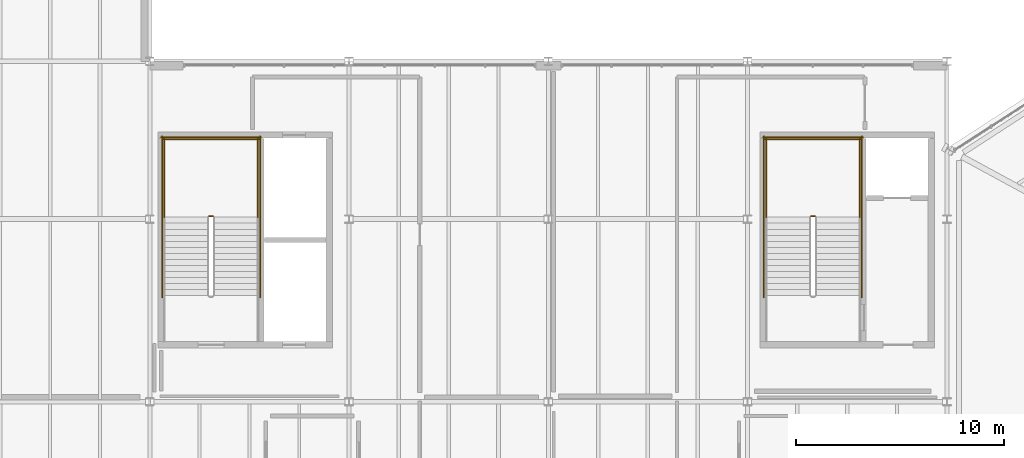
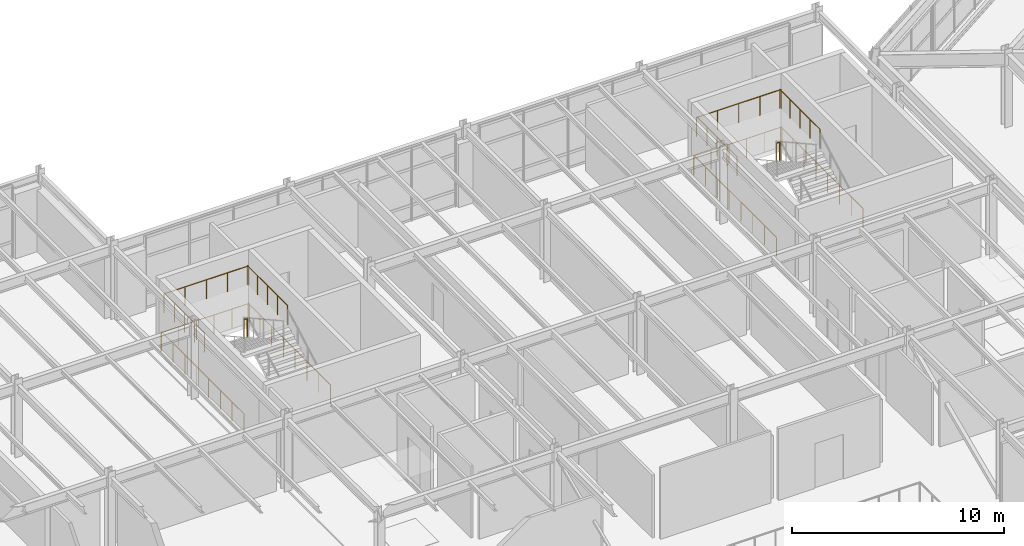
# One storey, part 75 of 77: 14 railings.
"""IFC4 building model written with IfcOpenShell, lengths in metres."""

from ifc_helpers import new_model, si_unit, direction, frame, origin, origin_2d, place, context, subcontext, project, spatial, circle, extrude, material, layer, layer_set, type_object, element, save


model = new_model("IFC4")

# Units and contexts
model_context = context("Model", 3, precision=1e-05, world=origin(), true_north=direction((0.0, 1.0)))
body_context = subcontext(model_context, "Body", "Model", "MODEL_VIEW")
ifc_project = project(units=[si_unit("LENGTHUNIT", "METRE"), si_unit("AREAUNIT", "SQUARE_METRE"), si_unit("VOLUMEUNIT", "CUBIC_METRE"), si_unit("PLANEANGLEUNIT", "RADIAN"), si_unit("MASSUNIT", "GRAM", prefix="KILO")], contexts=[model_context])

# Site, building, storey
site_placement = place(None, origin())
site = spatial("IfcSite", under=ifc_project, at=site_placement, CompositionType="ELEMENT")
building_placement = place(site_placement, origin())
building = spatial("IfcBuilding", under=site, at=building_placement, Name="Sarnbrook Museum", CompositionType="ELEMENT")
storey_placement = place(building_placement, frame((0.0, 0.0, 5.60009765625)))
storey = spatial("IfcBuildingStorey", under=building, at=storey_placement, Name="L01", CompositionType="ELEMENT", Elevation=5.60009765625)

# Railings
ifc_material = material(Name="Brushed Stainless Steel Grade 316", Category="steel")
ifc_layer = layer(ifc_material, 0.050048828125)
ifc_layer_set = layer_set([ifc_layer], Name="Brushed Stainless Steel Grade 316")
railing_type = type_object("IfcRailingType", Name="Guard_Int1120", PredefinedType="BALUSTRADE", material=ifc_layer_set)
railing_1_placement = place(storey_placement, frame((112.840087890625, 100.93994140625, 2.25)))
element("IfcRailing", 1, at=railing_1_placement, inside=storey, type_object=railing_type, Name="L01 ST2 stair guard 2", PredefinedType="BALUSTRADE", context=body_context, shape_type="SweptSolid", body=[
    extrude(circle(Radius=0.02392578125, at=origin_2d()), frame((0.0, 0.0, 1.09619140625), z_axis=(-1.0, 0.0, 0.0), x_axis=(0.0, -1.0, 0.0)), (0.0, 0.0, 1.0), 0.18017578125),
    extrude(circle(Radius=0.02099609375, at=origin_2d()), origin(), (0.0, 0.0, 1.0), 1.072021484375),
    extrude(circle(Radius=0.02099609375, at=origin_2d()), frame((-0.18017578125, 0.0, 0.0)), (0.0, 0.0, 1.0), 1.072021484375),
])
for number, where, name in (
    (2, (115.010009765625, 100.889892578125, 2.25), "L01 ST2 stair guard 3"),
    (3, (110.489990234375, 100.889892578125, 2.25), "L01 ST2 stair guard 4"),
):
    element("IfcRailing", number, at=place(storey_placement, frame(where)), inside=storey, type_object=railing_type, Name=name, PredefinedType="BALUSTRADE", context=body_context, shape_type="SweptSolid", body=[
        extrude(circle(Radius=0.02392578125, at=origin_2d()), frame((0.0, 0.0, 1.09619140625), z_axis=(0.0, 1.0, 0.0), x_axis=(-1.0, 0.0, 0.0)), (0.0, 0.0, 1.0), 3.81005859375),
        extrude(circle(Radius=0.02099609375, at=origin_2d()), origin(), (0.0, 0.0, 1.0), 1.072021484375),
        extrude(circle(Radius=0.02099609375, at=origin_2d()), frame((0.0, 0.95263671875, 0.0)), (0.0, 0.0, 1.0), 1.072021484375),
        extrude(circle(Radius=0.02099609375, at=origin_2d()), frame((0.0, 1.905029296875, 0.0)), (0.0, 0.0, 1.0), 1.072021484375),
        extrude(circle(Radius=0.02099609375, at=origin_2d()), frame((0.0, 2.857421875, 0.0)), (0.0, 0.0, 1.0), 1.072021484375),
        extrude(circle(Radius=0.02099609375, at=origin_2d()), frame((0.0, 3.81005859375, 0.0)), (0.0, 0.0, 1.0), 1.072021484375),
    ])
railing_2_placement = place(storey_placement, frame((115.06005859375, 104.64990234375, 2.25)))
element("IfcRailing", 4, at=railing_2_placement, inside=storey, type_object=railing_type, Name="L01 ST2 stair guard 5", PredefinedType="BALUSTRADE", context=body_context, shape_type="SweptSolid", body=[
    extrude(circle(Radius=0.02392578125, at=origin_2d()), frame((0.0, 0.0, 1.09619140625), z_axis=(-1.0, 0.0, 0.0), x_axis=(0.0, -1.0, 0.0)), (0.0, 0.0, 1.0), 4.6201171875),
    extrude(circle(Radius=0.02099609375, at=origin_2d()), origin(), (0.0, 0.0, 1.0), 1.072021484375),
    extrude(circle(Radius=0.02099609375, at=origin_2d()), frame((-1.155029296875, 0.0, 0.0)), (0.0, 0.0, 1.0), 1.072021484375),
    extrude(circle(Radius=0.02099609375, at=origin_2d()), frame((-2.31005859375, 0.0, 0.0)), (0.0, 0.0, 1.0), 1.072021484375),
    extrude(circle(Radius=0.02099609375, at=origin_2d()), frame((-3.465087890625, 0.0, 0.0)), (0.0, 0.0, 1.0), 1.072021484375),
    extrude(circle(Radius=0.02099609375, at=origin_2d()), frame((-4.6201171875, 0.0, 0.0)), (0.0, 0.0, 1.0), 1.072021484375),
])
for number, where, name in (
    (5, (115.110107421875, 97.02001953125, 0.0), "L01 ST2 stair guard 10"),
    (6, (110.389892578125, 97.02001953125, 0.0), "L01 ST2 stair guard 11"),
):
    element("IfcRailing", number, at=place(storey_placement, frame(where)), inside=storey, type_object=railing_type, Name=name, PredefinedType="BALUSTRADE", context=body_context, shape_type="SweptSolid", body=[
        extrude(circle(Radius=0.02392578125, at=origin_2d()), frame((0.0, 0.0, 1.09619140625), z_axis=(0.0, 1.0, 0.0), x_axis=(-1.0, 0.0, 0.0)), (0.0, 0.0, 1.0), 7.780029296875),
        extrude(circle(Radius=0.02099609375, at=origin_2d()), origin(), (0.0, 0.0, 1.0), 1.072021484375),
        extrude(circle(Radius=0.02099609375, at=origin_2d()), frame((0.0, 1.111328125, 0.0)), (0.0, 0.0, 1.0), 1.072021484375),
        extrude(circle(Radius=0.02099609375, at=origin_2d()), frame((0.0, 2.222900390625, 0.0)), (0.0, 0.0, 1.0), 1.072021484375),
        extrude(circle(Radius=0.02099609375, at=origin_2d()), frame((0.0, 3.334228515625, 0.0)), (0.0, 0.0, 1.0), 1.072021484375),
        extrude(circle(Radius=0.02099609375, at=origin_2d()), frame((0.0, 4.44580078125, 0.0)), (0.0, 0.0, 1.0), 1.072021484375),
        extrude(circle(Radius=0.02099609375, at=origin_2d()), frame((0.0, 5.55712890625, 0.0)), (0.0, 0.0, 1.0), 1.072021484375),
        extrude(circle(Radius=0.02099609375, at=origin_2d()), frame((0.0, 6.668701171875, 0.0)), (0.0, 0.0, 1.0), 1.072021484375),
        extrude(circle(Radius=0.02099609375, at=origin_2d()), frame((0.0, 7.780029296875, 0.0)), (0.0, 0.0, 1.0), 1.072021484375),
    ])
railing_3_placement = place(storey_placement, frame((115.159912109375, 104.75, 0.0)))
element("IfcRailing", 7, at=railing_3_placement, inside=storey, type_object=railing_type, Name="L01 ST2 stair guard 12", PredefinedType="BALUSTRADE", context=body_context, shape_type="SweptSolid", body=[
    extrude(circle(Radius=0.02392578125, at=origin_2d()), frame((0.0, 0.0, 1.09619140625), z_axis=(-1.0, 0.0, 0.0), x_axis=(0.0, -1.0, 0.0)), (0.0, 0.0, 1.0), 4.81982421875),
    extrude(circle(Radius=0.02099609375, at=origin_2d()), origin(), (0.0, 0.0, 1.0), 1.072021484375),
    extrude(circle(Radius=0.02099609375, at=origin_2d()), frame((-0.9638671875, 0.0, 0.0)), (0.0, 0.0, 1.0), 1.072021484375),
    extrude(circle(Radius=0.02099609375, at=origin_2d()), frame((-1.927978515625, 0.0, 0.0)), (0.0, 0.0, 1.0), 1.072021484375),
    extrude(circle(Radius=0.02099609375, at=origin_2d()), frame((-2.891845703125, 0.0, 0.0)), (0.0, 0.0, 1.0), 1.072021484375),
    extrude(circle(Radius=0.02099609375, at=origin_2d()), frame((-3.85595703125, 0.0, 0.0)), (0.0, 0.0, 1.0), 1.072021484375),
    extrude(circle(Radius=0.02099609375, at=origin_2d()), frame((-4.81982421875, 0.0, 0.0)), (0.0, 0.0, 1.0), 1.072021484375),
])
railing_4_placement = place(storey_placement, frame((83.840087890625, 100.93994140625, 2.25)))
element("IfcRailing", 8, at=railing_4_placement, inside=storey, type_object=railing_type, Name="L01 ST4 stair guard 2", PredefinedType="BALUSTRADE", context=body_context, shape_type="SweptSolid", body=[
    extrude(circle(Radius=0.02392578125, at=origin_2d()), frame((0.0, 0.0, 1.09619140625), z_axis=(-1.0, 0.0, 0.0), x_axis=(0.0, -1.0, 0.0)), (0.0, 0.0, 1.0), 0.18017578125),
    extrude(circle(Radius=0.02099609375, at=origin_2d()), origin(), (0.0, 0.0, 1.0), 1.072021484375),
    extrude(circle(Radius=0.02099609375, at=origin_2d()), frame((-0.18017578125, 0.0, 0.0)), (0.0, 0.0, 1.0), 1.072021484375),
])
for number, where, name in (
    (9, (86.010009765625, 100.889892578125, 2.25), "L01 ST4 stair guard 3"),
    (10, (81.489990234375, 100.889892578125, 2.25), "L01 ST4 stair guard 4"),
):
    element("IfcRailing", number, at=place(storey_placement, frame(where)), inside=storey, type_object=railing_type, Name=name, PredefinedType="BALUSTRADE", context=body_context, shape_type="SweptSolid", body=[
        extrude(circle(Radius=0.02392578125, at=origin_2d()), frame((0.0, 0.0, 1.09619140625), z_axis=(0.0, 1.0, 0.0), x_axis=(-1.0, 0.0, 0.0)), (0.0, 0.0, 1.0), 3.81005859375),
        extrude(circle(Radius=0.02099609375, at=origin_2d()), origin(), (0.0, 0.0, 1.0), 1.072021484375),
        extrude(circle(Radius=0.02099609375, at=origin_2d()), frame((0.0, 0.95263671875, 0.0)), (0.0, 0.0, 1.0), 1.072021484375),
        extrude(circle(Radius=0.02099609375, at=origin_2d()), frame((0.0, 1.905029296875, 0.0)), (0.0, 0.0, 1.0), 1.072021484375),
        extrude(circle(Radius=0.02099609375, at=origin_2d()), frame((0.0, 2.857421875, 0.0)), (0.0, 0.0, 1.0), 1.072021484375),
        extrude(circle(Radius=0.02099609375, at=origin_2d()), frame((0.0, 3.81005859375, 0.0)), (0.0, 0.0, 1.0), 1.072021484375),
    ])
railing_5_placement = place(storey_placement, frame((86.06005859375, 104.64990234375, 2.25)))
element("IfcRailing", 11, at=railing_5_placement, inside=storey, type_object=railing_type, Name="L01 ST4 stair guard 5", PredefinedType="BALUSTRADE", context=body_context, shape_type="SweptSolid", body=[
    extrude(circle(Radius=0.02392578125, at=origin_2d()), frame((0.0, 0.0, 1.09619140625), z_axis=(-1.0, 0.0, 0.0), x_axis=(0.0, -1.0, 0.0)), (0.0, 0.0, 1.0), 4.6201171875),
    extrude(circle(Radius=0.02099609375, at=origin_2d()), origin(), (0.0, 0.0, 1.0), 1.072021484375),
    extrude(circle(Radius=0.02099609375, at=origin_2d()), frame((-1.155029296875, 0.0, 0.0)), (0.0, 0.0, 1.0), 1.072021484375),
    extrude(circle(Radius=0.02099609375, at=origin_2d()), frame((-2.31005859375, 0.0, 0.0)), (0.0, 0.0, 1.0), 1.072021484375),
    extrude(circle(Radius=0.02099609375, at=origin_2d()), frame((-3.465087890625, 0.0, 0.0)), (0.0, 0.0, 1.0), 1.072021484375),
    extrude(circle(Radius=0.02099609375, at=origin_2d()), frame((-4.6201171875, 0.0, 0.0)), (0.0, 0.0, 1.0), 1.072021484375),
])
for number, where, name in (
    (12, (86.110107421875, 97.02001953125, 0.0), "L01 ST4 stair guard 10"),
    (13, (81.389892578125, 97.02001953125, 0.0), "L01 ST4 stair guard 11"),
):
    element("IfcRailing", number, at=place(storey_placement, frame(where)), inside=storey, type_object=railing_type, Name=name, PredefinedType="BALUSTRADE", context=body_context, shape_type="SweptSolid", body=[
        extrude(circle(Radius=0.02392578125, at=origin_2d()), frame((0.0, 0.0, 1.09619140625), z_axis=(0.0, 1.0, 0.0), x_axis=(-1.0, 0.0, 0.0)), (0.0, 0.0, 1.0), 7.780029296875),
        extrude(circle(Radius=0.02099609375, at=origin_2d()), origin(), (0.0, 0.0, 1.0), 1.072021484375),
        extrude(circle(Radius=0.02099609375, at=origin_2d()), frame((0.0, 1.111328125, 0.0)), (0.0, 0.0, 1.0), 1.072021484375),
        extrude(circle(Radius=0.02099609375, at=origin_2d()), frame((0.0, 2.222900390625, 0.0)), (0.0, 0.0, 1.0), 1.072021484375),
        extrude(circle(Radius=0.02099609375, at=origin_2d()), frame((0.0, 3.334228515625, 0.0)), (0.0, 0.0, 1.0), 1.072021484375),
        extrude(circle(Radius=0.02099609375, at=origin_2d()), frame((0.0, 4.44580078125, 0.0)), (0.0, 0.0, 1.0), 1.072021484375),
        extrude(circle(Radius=0.02099609375, at=origin_2d()), frame((0.0, 5.55712890625, 0.0)), (0.0, 0.0, 1.0), 1.072021484375),
        extrude(circle(Radius=0.02099609375, at=origin_2d()), frame((0.0, 6.668701171875, 0.0)), (0.0, 0.0, 1.0), 1.072021484375),
        extrude(circle(Radius=0.02099609375, at=origin_2d()), frame((0.0, 7.780029296875, 0.0)), (0.0, 0.0, 1.0), 1.072021484375),
    ])
railing_6_placement = place(storey_placement, frame((86.159912109375, 104.75, 0.0)))
element("IfcRailing", 14, at=railing_6_placement, inside=storey, type_object=railing_type, Name="L01 ST4 stair guard 12", PredefinedType="BALUSTRADE", context=body_context, shape_type="SweptSolid", body=[
    extrude(circle(Radius=0.02392578125, at=origin_2d()), frame((0.0, 0.0, 1.09619140625), z_axis=(-1.0, 0.0, 0.0), x_axis=(0.0, -1.0, 0.0)), (0.0, 0.0, 1.0), 4.81982421875),
    extrude(circle(Radius=0.02099609375, at=origin_2d()), origin(), (0.0, 0.0, 1.0), 1.072021484375),
    extrude(circle(Radius=0.02099609375, at=origin_2d()), frame((-0.9638671875, 0.0, 0.0)), (0.0, 0.0, 1.0), 1.072021484375),
    extrude(circle(Radius=0.02099609375, at=origin_2d()), frame((-1.927978515625, 0.0, 0.0)), (0.0, 0.0, 1.0), 1.072021484375),
    extrude(circle(Radius=0.02099609375, at=origin_2d()), frame((-2.891845703125, 0.0, 0.0)), (0.0, 0.0, 1.0), 1.072021484375),
    extrude(circle(Radius=0.02099609375, at=origin_2d()), frame((-3.85595703125, 0.0, 0.0)), (0.0, 0.0, 1.0), 1.072021484375),
    extrude(circle(Radius=0.02099609375, at=origin_2d()), frame((-4.81982421875, 0.0, 0.0)), (0.0, 0.0, 1.0), 1.072021484375),
])

save(model, "model.ifc")
